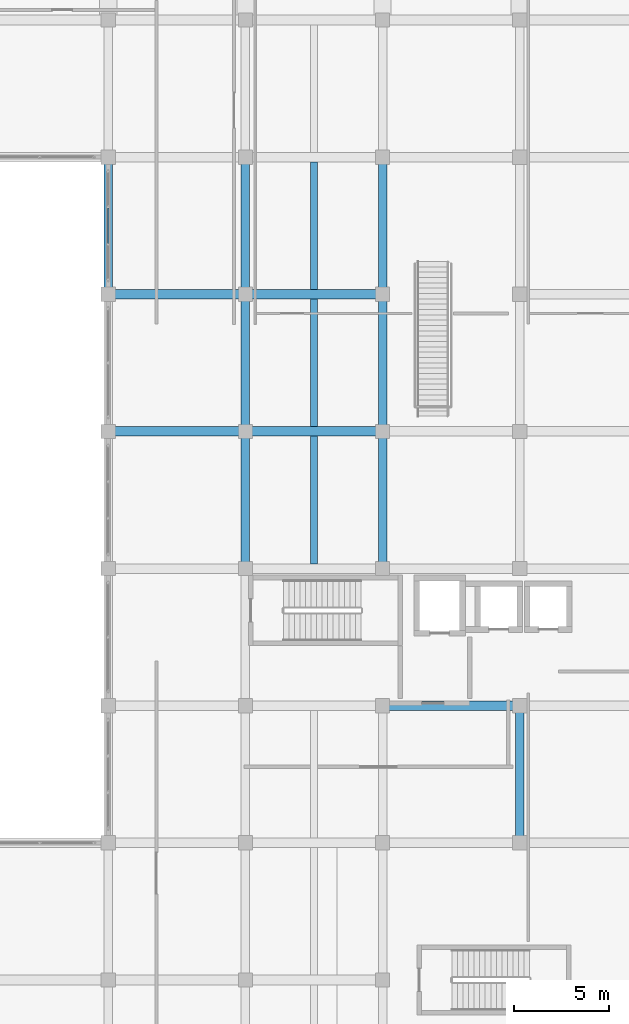
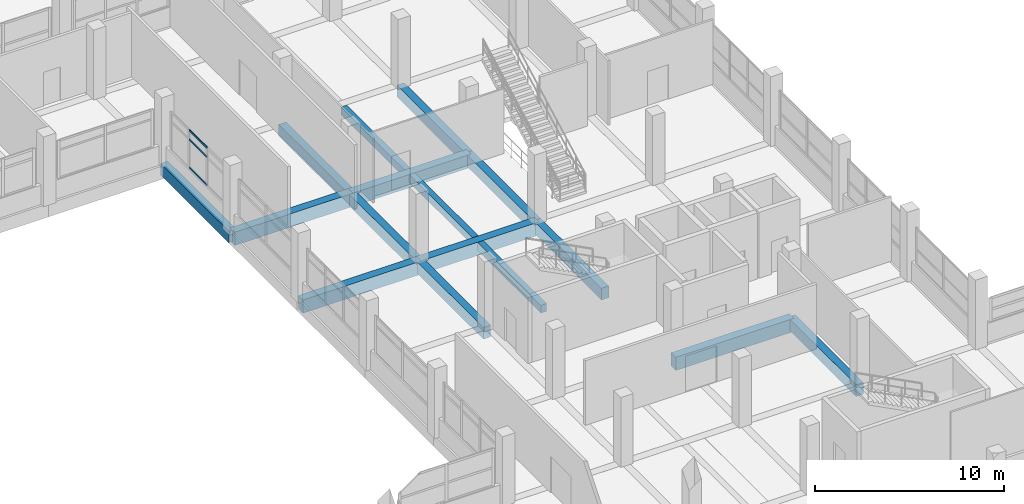
# One storey, part 50 of 141: 16 beams, 3 members, 1 element without a shape of its own.
"""IFC4 building model written with IfcOpenShell, lengths in metres."""

from ifc_helpers import new_model, si_unit, direction, frame, origin, origin_2d, place, context, subcontext, project, spatial, rectangle, hollow_rectangle, extrude, material, layer, layer_set, material_profile, profile_set, type_object, element, aggregate, save


model = new_model("IFC4")

# Units and contexts
model_context = context("Model", 3, precision=1e-05, world=origin(), true_north=direction((0.0, 1.0)))
body_context = subcontext(model_context, "Body", "Model", "MODEL_VIEW")
ifc_project = project(units=[si_unit("LENGTHUNIT", "METRE"), si_unit("AREAUNIT", "SQUARE_METRE"), si_unit("VOLUMEUNIT", "CUBIC_METRE"), si_unit("PLANEANGLEUNIT", "RADIAN"), si_unit("MASSUNIT", "GRAM", prefix="KILO")], contexts=[model_context])

# Site, building, storey
site_placement = place(None, origin())
site = spatial("IfcSite", under=ifc_project, at=site_placement, CompositionType="ELEMENT")
building_placement = place(site_placement, origin())
building = spatial("IfcBuilding", under=site, at=building_placement, Name="Seraya Terrace Polytechnic", CompositionType="ELEMENT")
storey_placement = place(building_placement, frame((0.0, 0.0, 14.39990234375)))
storey = spatial("IfcBuildingStorey", under=building, at=storey_placement, Name="L03", CompositionType="ELEMENT", Elevation=14.39990234375)

# Beams
ifc_material_1 = material(Name="Concrete C40/50", Category="concrete")
ifc_material_profile_1 = material_profile(ifc_material_1, rectangle(XDim=0.5, YDim=0.85009765625, at=origin_2d()), Name="RC 500x850")
ifc_profile_set_1 = profile_set([ifc_material_profile_1], Name="Concrete C40/50")
beam_type_1 = type_object("IfcBeamType", Name="BM-05", PredefinedType="BEAM", material=ifc_profile_set_1)
for number, where, z_axis, x_axis, name in (
    (1, (93.60009765625, 36.0, -0.4248046875), (1.0, 0.0, 0.0), (0.0, 1.0, 0.0), "Beam BM-05 L03 X (93.6..100.8, 36.0)"),
    (2, (79.199951171875, 50.39990234375, -0.4248046875), (1.0, 0.0, 0.0), (0.0, 1.0, 0.0), "Beam BM-05 L03 X (79.2..86.4, 50.4)"),
):
    element("IfcBeam", number, at=place(storey_placement, frame(where, z_axis=z_axis, x_axis=x_axis)), inside=storey, type_object=beam_type_1, Name=name, PredefinedType="BEAM", context=body_context, shape_type="SweptSolid", body=[
        extrude(rectangle(XDim=0.5, YDim=0.85009765625, at=origin_2d()), origin(), (0.0, 0.0, 1.0), 7.199951171875),
    ])
beam_1_placement = place(storey_placement, frame((86.39990234375, 50.39990234375, -0.4248046875), z_axis=(1.0, 0.0, 0.0), x_axis=(0.0, 1.0, 0.0)))
element("IfcBeam", 3, at=beam_1_placement, inside=storey, type_object=beam_type_1, Name="Beam BM-05 L03 X (86.4..93.6, 50.4)", PredefinedType="BEAM", context=body_context, shape_type="SweptSolid", body=[
    extrude(rectangle(XDim=0.5, YDim=0.85009765625, at=origin_2d()), origin(), (0.0, 0.0, 1.0), 7.2001953125),
])
beam_2_placement = place(storey_placement, frame((79.199951171875, 57.60009765625, -0.4248046875), z_axis=(1.0, 0.0, 0.0), x_axis=(0.0, 1.0, 0.0)))
element("IfcBeam", 4, at=beam_2_placement, inside=storey, type_object=beam_type_1, Name="Beam BM-05 L03 X (79.2..86.4, 57.6)", PredefinedType="BEAM", context=body_context, shape_type="SweptSolid", body=[
    extrude(rectangle(XDim=0.5, YDim=0.85009765625, at=origin_2d()), origin(), (0.0, 0.0, 1.0), 7.199951171875),
])
beam_3_placement = place(storey_placement, frame((86.39990234375, 57.60009765625, -0.4248046875), z_axis=(1.0, 0.0, 0.0), x_axis=(0.0, 1.0, 0.0)))
element("IfcBeam", 5, at=beam_3_placement, inside=storey, type_object=beam_type_1, Name="Beam BM-05 L03 X (86.4..93.6, 57.6)", PredefinedType="BEAM", context=body_context, shape_type="SweptSolid", body=[
    extrude(rectangle(XDim=0.5, YDim=0.85009765625, at=origin_2d()), origin(), (0.0, 0.0, 1.0), 7.2001953125),
])
ifc_material_profile_2 = material_profile(ifc_material_1, rectangle(XDim=0.449951171875, YDim=0.75, at=origin_2d()), Name="RC 450x750")
ifc_profile_set_2 = profile_set([ifc_material_profile_2], Name="Concrete C40/50")
beam_type_2 = type_object("IfcBeamType", Name="BM-08", PredefinedType="BEAM", material=ifc_profile_set_2)
for number, where, z_axis, x_axis, name in (
    (6, (79.199951171875, 57.60009765625, -0.375), (0.0, 1.0, 0.0), (-1.0, 0.0, 0.0), "Beam BM-08 L03 Y (79.2, 57.6..64.8)"),
    (7, (86.39990234375, 43.199951171875, -0.375), (0.0, 1.0, 0.0), (-1.0, 0.0, 0.0), "Beam BM-08 L03 Y (86.4, 43.2..50.4)"),
):
    element("IfcBeam", number, at=place(storey_placement, frame(where, z_axis=z_axis, x_axis=x_axis)), inside=storey, type_object=beam_type_2, Name=name, PredefinedType="BEAM", context=body_context, shape_type="SweptSolid", body=[
        extrude(rectangle(XDim=0.449951171875, YDim=0.75, at=origin_2d()), origin(), (0.0, 0.0, 1.0), 7.199951171875),
    ])
beam_4_placement = place(storey_placement, frame((86.39990234375, 50.39990234375, -0.375), z_axis=(0.0, 1.0, 0.0), x_axis=(-1.0, 0.0, 0.0)))
element("IfcBeam", 8, at=beam_4_placement, inside=storey, type_object=beam_type_2, Name="Beam BM-08 L03 Y (86.4, 50.4..57.6)", PredefinedType="BEAM", context=body_context, shape_type="SweptSolid", body=[
    extrude(rectangle(XDim=0.449951171875, YDim=0.75, at=origin_2d()), origin(), (0.0, 0.0, 1.0), 7.2001953125),
])
for number, where, z_axis, x_axis, name in (
    (9, (86.39990234375, 57.60009765625, -0.375), (0.0, 1.0, 0.0), (-1.0, 0.0, 0.0), "Beam BM-08 L03 Y (86.4, 57.6..64.8)"),
    (10, (93.60009765625, 43.199951171875, -0.375), (0.0, 1.0, 0.0), (-1.0, 0.0, 0.0), "Beam BM-08 L03 Y (93.6, 43.2..50.4)"),
):
    element("IfcBeam", number, at=place(storey_placement, frame(where, z_axis=z_axis, x_axis=x_axis)), inside=storey, type_object=beam_type_2, Name=name, PredefinedType="BEAM", context=body_context, shape_type="SweptSolid", body=[
        extrude(rectangle(XDim=0.449951171875, YDim=0.75, at=origin_2d()), origin(), (0.0, 0.0, 1.0), 7.199951171875),
    ])
beam_5_placement = place(storey_placement, frame((93.60009765625, 50.39990234375, -0.375), z_axis=(0.0, 1.0, 0.0), x_axis=(-1.0, 0.0, 0.0)))
element("IfcBeam", 11, at=beam_5_placement, inside=storey, type_object=beam_type_2, Name="Beam BM-08 L03 Y (93.6, 50.4..57.6)", PredefinedType="BEAM", context=body_context, shape_type="SweptSolid", body=[
    extrude(rectangle(XDim=0.449951171875, YDim=0.75, at=origin_2d()), origin(), (0.0, 0.0, 1.0), 7.2001953125),
])
for number, where, z_axis, x_axis, name in (
    (12, (93.60009765625, 57.60009765625, -0.375), (0.0, 1.0, 0.0), (-1.0, 0.0, 0.0), "Beam BM-08 L03 Y (93.6, 57.6..64.8)"),
    (13, (100.800048828125, 28.800048828125, -0.375), (0.0, 1.0, 0.0), (-1.0, 0.0, 0.0), "Beam BM-08 L03 Y (100.8, 28.8..36.0)"),
):
    element("IfcBeam", number, at=place(storey_placement, frame(where, z_axis=z_axis, x_axis=x_axis)), inside=storey, type_object=beam_type_2, Name=name, PredefinedType="BEAM", context=body_context, shape_type="SweptSolid", body=[
        extrude(rectangle(XDim=0.449951171875, YDim=0.75, at=origin_2d()), origin(), (0.0, 0.0, 1.0), 7.199951171875),
    ])

# Curtain wall, members
ifc_material_2 = material(Name="Anodised aluminium EN AW-6063 T6", Category="aluminium")
ifc_layer = layer(ifc_material_2, 0.179931640625, Name="CW-32")
ifc_layer_set = layer_set([ifc_layer], Name="Anodised aluminium EN AW-6063 T6")
curtain_wall_type = type_object("IfcCurtainWallType", Name="CW-32", PredefinedType="NOTDEFINED", material=ifc_layer_set)
curtain_wall_placement = place(storey_placement, origin())
curtain_wall = element("IfcCurtainWall", 14, at=curtain_wall_placement, inside=storey, type_object=curtain_wall_type, Name="Unitised curtain wall CW-32 (CW-L03-140)", PredefinedType="NOTDEFINED")
ifc_material_profile_3 = material_profile(ifc_material_2, hollow_rectangle(XDim=0.06005859375, YDim=0.1201171875, WallThickness=0.003173828125, at=origin_2d()), Name="RHS 120x60x3.2")
ifc_profile_set_3 = profile_set([ifc_material_profile_3], Name="Anodised aluminium EN AW-6063 T6")
member_type = type_object("IfcMemberType", Name="CWT-02", PredefinedType="USERDEFINED", material=ifc_profile_set_3)
member_1_placement = place(storey_placement, frame((79.199951171875, 60.27001953125, 1.27001953125), z_axis=(0.0, 1.0, 0.0), x_axis=(-1.0, 0.0, 0.0)))
member_1 = element("IfcMember", 15, at=member_1_placement, type_object=member_type, Name="CW-32 transom 2.1", ObjectType="TRANSOM", PredefinedType="USERDEFINED", context=body_context, shape_type="SweptSolid", body=[
    extrude(hollow_rectangle(XDim=0.06005859375, YDim=0.1201171875, WallThickness=0.003173828125, at=origin_2d()), origin(), (0.0, 0.0, 1.0), 1.85986328125),
])
member_2_placement = place(storey_placement, frame((79.199951171875, 60.27001953125, 3.090087890625), z_axis=(0.0, 1.0, 0.0), x_axis=(-1.0, 0.0, 0.0)))
member_2 = element("IfcMember", 16, at=member_2_placement, type_object=member_type, Name="CW-32 transom 2.2", ObjectType="TRANSOM", PredefinedType="USERDEFINED", context=body_context, shape_type="SweptSolid", body=[
    extrude(hollow_rectangle(XDim=0.06005859375, YDim=0.1201171875, WallThickness=0.003173828125, at=origin_2d()), origin(), (0.0, 0.0, 1.0), 1.85986328125),
])
member_3_placement = place(storey_placement, frame((79.199951171875, 60.27001953125, 3.68017578125), z_axis=(0.0, 1.0, 0.0), x_axis=(-1.0, 0.0, 0.0)))
member_3 = element("IfcMember", 17, at=member_3_placement, type_object=member_type, Name="CW-32 transom 2.3", ObjectType="TRANSOM", PredefinedType="USERDEFINED", context=body_context, shape_type="SweptSolid", body=[
    extrude(hollow_rectangle(XDim=0.06005859375, YDim=0.1201171875, WallThickness=0.003173828125, at=origin_2d()), origin(), (0.0, 0.0, 1.0), 1.85986328125),
])
aggregate(curtain_wall, [member_1, member_2, member_3])

# Beams
ifc_material_profile_4 = material_profile(ifc_material_1, rectangle(XDim=0.35009765625, YDim=0.5, at=origin_2d()), Name="RC 350x500")
ifc_profile_set_4 = profile_set([ifc_material_profile_4], Name="Concrete C40/50")
beam_type_3 = type_object("IfcBeamType", Name="JS-03", PredefinedType="JOIST", material=ifc_profile_set_4)
beam_6_placement = place(storey_placement, frame((90.0, 43.449951171875, -0.25), z_axis=(0.0, 1.0, 0.0), x_axis=(-1.0, 0.0, 0.0)))
element("IfcBeam", 18, at=beam_6_placement, inside=storey, type_object=beam_type_3, Name="Secondary joist JS-03 L03", PredefinedType="JOIST", context=body_context, shape_type="SweptSolid", body=[
    extrude(rectangle(XDim=0.35009765625, YDim=0.5, at=origin_2d()), origin(), (0.0, 0.0, 1.0), 6.699951171875),
])
beam_7_placement = place(storey_placement, frame((90.0, 50.64990234375, -0.25), z_axis=(0.0, 1.0, 0.0), x_axis=(-1.0, 0.0, 0.0)))
element("IfcBeam", 19, at=beam_7_placement, inside=storey, type_object=beam_type_3, Name="Secondary joist JS-03 L03", PredefinedType="JOIST", context=body_context, shape_type="SweptSolid", body=[
    extrude(rectangle(XDim=0.35009765625, YDim=0.5, at=origin_2d()), origin(), (0.0, 0.0, 1.0), 6.7001953125),
])
beam_8_placement = place(storey_placement, frame((90.0, 57.85009765625, -0.25), z_axis=(0.0, 1.0, 0.0), x_axis=(-1.0, 0.0, 0.0)))
element("IfcBeam", 20, at=beam_8_placement, inside=storey, type_object=beam_type_3, Name="Secondary joist JS-03 L03", PredefinedType="JOIST", context=body_context, shape_type="SweptSolid", body=[
    extrude(rectangle(XDim=0.35009765625, YDim=0.5, at=origin_2d()), origin(), (0.0, 0.0, 1.0), 6.699951171875),
])

save(model, "model.ifc")
